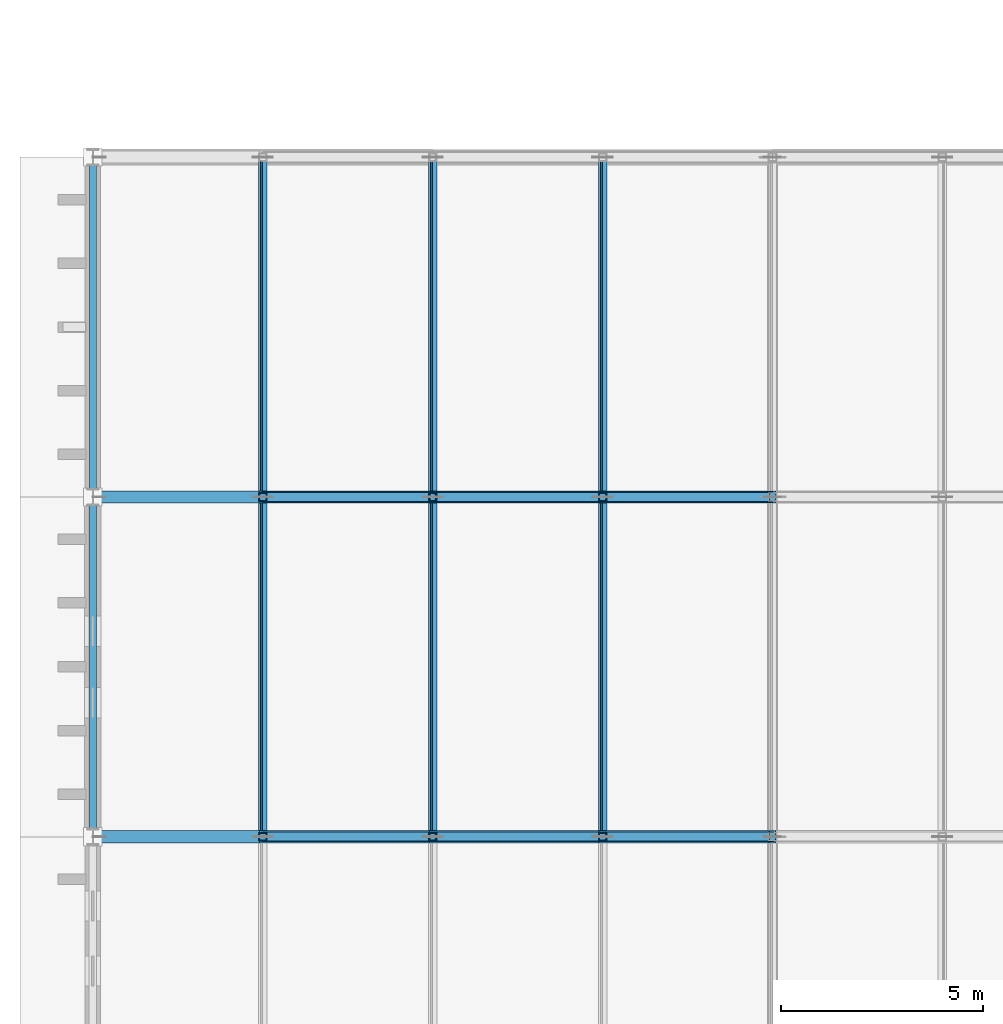
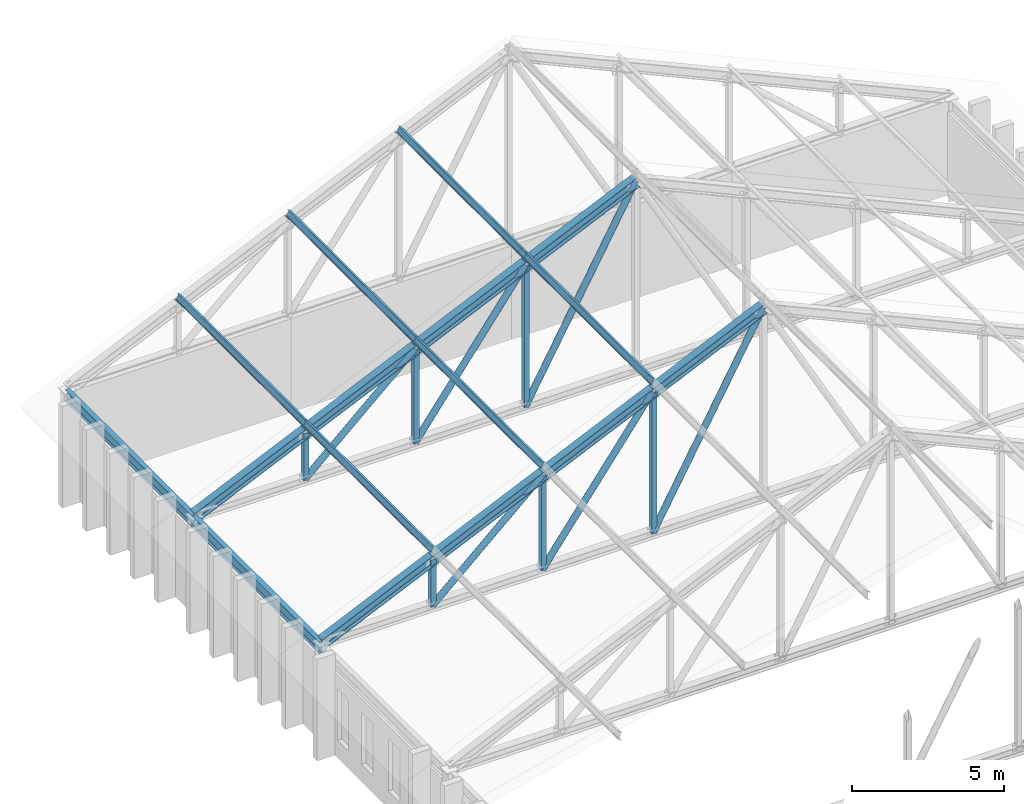
# One storey, part 22 of 110: 26 members, 2 beams.
"""IFC4 building model written with IfcOpenShell, lengths in metres."""

from ifc_helpers import new_model, si_unit, direction, frame, origin, origin_2d, place, context, subcontext, project, spatial, hollow_rectangle, hollow_circle, i_section, extrude, material, material_profile, profile_set, type_object, element, save


model = new_model("IFC4")

# Units and contexts
model_context = context("Model", 3, precision=1e-05, world=origin(), true_north=direction((0.0, 1.0)))
body_context = subcontext(model_context, "Body", "Model", "MODEL_VIEW")
ifc_project = project(units=[si_unit("LENGTHUNIT", "METRE"), si_unit("AREAUNIT", "SQUARE_METRE"), si_unit("VOLUMEUNIT", "CUBIC_METRE"), si_unit("PLANEANGLEUNIT", "RADIAN"), si_unit("MASSUNIT", "GRAM", prefix="KILO")], contexts=[model_context])

# Site, building, storey
site_placement = place(None, origin())
site = spatial("IfcSite", under=ifc_project, at=site_placement, CompositionType="ELEMENT")
building_placement = place(site_placement, origin())
building = spatial("IfcBuilding", under=site, at=building_placement, Name="Kveldsbrygga Polytechnic", CompositionType="ELEMENT")
storey_placement = place(building_placement, frame((0.0, 0.0, 9.860107421875)))
storey = spatial("IfcBuildingStorey", under=building, at=storey_placement, Name="L02", CompositionType="ELEMENT", Elevation=9.860107421875)

# Beams
ifc_material = material(Name="Steel S355", Category="steel")
ifc_material_profile_1 = material_profile(ifc_material, i_section(OverallWidth=0.18994140625, OverallDepth=0.449951171875, WebThickness=0.009521484375, FlangeThickness=0.0146484375, FilletRadius=0.02099609375, at=origin_2d()), Name="IPE 450")
ifc_profile_set_1 = profile_set([ifc_material_profile_1], Name="Steel S355")
beam_type = type_object("IfcBeamType", Name="BM-STL-IPE450", PredefinedType="BEAM", material=ifc_profile_set_1)
beam_1_placement = place(storey_placement, frame((0.0, 67.199951171875, 3.554931640625), z_axis=(0.0, 1.0, 0.0), x_axis=(-1.0, 0.0, 0.0)))
element("IfcBeam", 1, at=beam_1_placement, inside=storey, type_object=beam_type, Name="Workshop Eaves Beam BMY-V1EAV-W-08", PredefinedType="BEAM", context=body_context, shape_type="SweptSolid", body=[
    extrude(i_section(OverallWidth=0.18994140625, OverallDepth=0.449951171875, WebThickness=0.009521484375, FlangeThickness=0.0146484375, FilletRadius=0.02099609375, at=origin_2d()), origin(), (0.0, 0.0, 1.0), 8.400146484375),
])
beam_2_placement = place(storey_placement, frame((0.0, 75.60009765625, 3.554931640625), z_axis=(0.0, 1.0, 0.0), x_axis=(-1.0, 0.0, 0.0)))
element("IfcBeam", 2, at=beam_2_placement, inside=storey, type_object=beam_type, Name="Workshop Eaves Beam BMY-V1EAV-W-09", PredefinedType="BEAM", context=body_context, shape_type="SweptSolid", body=[
    extrude(i_section(OverallWidth=0.18994140625, OverallDepth=0.449951171875, WebThickness=0.009521484375, FlangeThickness=0.0146484375, FilletRadius=0.02099609375, at=origin_2d()), origin(), (0.0, 0.0, 1.0), 8.39990234375),
])

# Members
ifc_material_profile_2 = material_profile(ifc_material, i_section(OverallWidth=0.1201171875, OverallDepth=0.239990234375, WebThickness=0.006103515625, FlangeThickness=0.009765625, FilletRadius=0.014892578125, at=origin_2d()), Name="IPE 240")
ifc_profile_set_2 = profile_set([ifc_material_profile_2], Name="Steel S355")
member_type_1 = type_object("IfcMemberType", Name="PRL-IPE240", PredefinedType="PURLIN", material=ifc_profile_set_2)
for number, where, z_axis, x_axis, name in (
    (3, (4.199951171875, 67.199951171875, 6.031005859375), (0.0, 1.0, 0.0), (-0.911107850446, 0.0, 0.41216802988), "Roof Purlin V1W-PRL-6-1"),
    (4, (8.39990234375, 67.199951171875, 7.93115234375), (0.0, 1.0, 0.0), (-0.911107850446, 0.0, 0.41216802988), "Roof Purlin V1W-PRL-6-2"),
    (5, (12.60009765625, 67.199951171875, 9.8310546875), (0.0, 1.0, 0.0), (-0.911107850446, 0.0, 0.41216802988), "Roof Purlin V1W-PRL-6-3"),
):
    element("IfcMember", number, at=place(storey_placement, frame(where, z_axis=z_axis, x_axis=x_axis)), inside=storey, type_object=member_type_1, Name=name, PredefinedType="PURLIN", context=body_context, shape_type="SweptSolid", body=[
        extrude(i_section(OverallWidth=0.1201171875, OverallDepth=0.239990234375, WebThickness=0.006103515625, FlangeThickness=0.009765625, FilletRadius=0.014892578125, at=origin_2d()), origin(), (0.0, 0.0, 1.0), 8.400146484375),
    ])
for number, where, z_axis, x_axis, name in (
    (6, (4.199951171875, 75.60009765625, 6.031005859375), (0.0, 1.0, 0.0), (-0.911107850446, 0.0, 0.41216802988), "Roof Purlin V1W-PRL-7-1"),
    (7, (8.39990234375, 75.60009765625, 7.93115234375), (0.0, 1.0, 0.0), (-0.911107850446, 0.0, 0.41216802988), "Roof Purlin V1W-PRL-7-2"),
    (8, (12.60009765625, 75.60009765625, 9.8310546875), (0.0, 1.0, 0.0), (-0.911107850446, 0.0, 0.41216802988), "Roof Purlin V1W-PRL-7-3"),
):
    element("IfcMember", number, at=place(storey_placement, frame(where, z_axis=z_axis, x_axis=x_axis)), inside=storey, type_object=member_type_1, Name=name, PredefinedType="PURLIN", context=body_context, shape_type="SweptSolid", body=[
        extrude(i_section(OverallWidth=0.1201171875, OverallDepth=0.239990234375, WebThickness=0.006103515625, FlangeThickness=0.009765625, FilletRadius=0.014892578125, at=origin_2d()), origin(), (0.0, 0.0, 1.0), 8.39990234375),
    ])
ifc_material_profile_3 = material_profile(ifc_material, hollow_circle(Radius=0.122314453125, WallThickness=0.012451171875, at=origin_2d()), Name="CHS 244.5x12.5")
ifc_profile_set_3 = profile_set([ifc_material_profile_3], Name="Steel S355")
member_type_2 = type_object("IfcMemberType", Name="TR-DIAG-CHS245", PredefinedType="BRACE", material=ifc_profile_set_3)
member_1_placement = place(storey_placement, frame((4.199951171875, 67.199951171875, 3.77978515625), z_axis=(0.741527609628, 0.0, 0.670922353302), x_axis=(0.0, 1.0, 0.0)))
element("IfcMember", 9, at=member_1_placement, inside=storey, type_object=member_type_2, Name="Truss Diagonal V1W-T06-DG-2", PredefinedType="BRACE", context=body_context, shape_type="SweptSolid", body=[
    extrude(hollow_circle(Radius=0.122314453125, WallThickness=0.012451171875, at=origin_2d()), origin(), (0.0, 0.0, 1.0), 5.663818359375),
])
member_2_placement = place(storey_placement, frame((8.39990234375, 67.199951171875, 3.77978515625), z_axis=(0.59320374275, 0.0, 0.805052370711), x_axis=(0.0, 1.0, 0.0)))
element("IfcMember", 10, at=member_2_placement, inside=storey, type_object=member_type_2, Name="Truss Diagonal V1W-T06-DG-3", PredefinedType="BRACE", context=body_context, shape_type="SweptSolid", body=[
    extrude(hollow_circle(Radius=0.122314453125, WallThickness=0.012451171875, at=origin_2d()), origin(), (0.0, 0.0, 1.0), 7.08056640625),
])
member_3_placement = place(storey_placement, frame((12.60009765625, 67.199951171875, 3.77978515625), z_axis=(0.483677042996, 0.0, 0.875246547025), x_axis=(0.0, 1.0, 0.0)))
element("IfcMember", 11, at=member_3_placement, inside=storey, type_object=member_type_2, Name="Truss Diagonal V1W-T06-DG-4", PredefinedType="BRACE", context=body_context, shape_type="SweptSolid", body=[
    extrude(hollow_circle(Radius=0.122314453125, WallThickness=0.012451171875, at=origin_2d()), origin(), (0.0, 0.0, 1.0), 8.683349609375),
])
member_4_placement = place(storey_placement, frame((4.199951171875, 75.60009765625, 3.77978515625), z_axis=(0.741527609628, 0.0, 0.670922353302), x_axis=(0.0, 1.0, 0.0)))
element("IfcMember", 12, at=member_4_placement, inside=storey, type_object=member_type_2, Name="Truss Diagonal V1W-T07-DG-2", PredefinedType="BRACE", context=body_context, shape_type="SweptSolid", body=[
    extrude(hollow_circle(Radius=0.122314453125, WallThickness=0.012451171875, at=origin_2d()), origin(), (0.0, 0.0, 1.0), 5.663818359375),
])
member_5_placement = place(storey_placement, frame((8.39990234375, 75.60009765625, 3.77978515625), z_axis=(0.59320374275, 0.0, 0.805052370711), x_axis=(0.0, 1.0, 0.0)))
element("IfcMember", 13, at=member_5_placement, inside=storey, type_object=member_type_2, Name="Truss Diagonal V1W-T07-DG-3", PredefinedType="BRACE", context=body_context, shape_type="SweptSolid", body=[
    extrude(hollow_circle(Radius=0.122314453125, WallThickness=0.012451171875, at=origin_2d()), origin(), (0.0, 0.0, 1.0), 7.08056640625),
])
member_6_placement = place(storey_placement, frame((12.60009765625, 75.60009765625, 3.77978515625), z_axis=(0.483677042996, 0.0, 0.875246547025), x_axis=(0.0, 1.0, 0.0)))
element("IfcMember", 14, at=member_6_placement, inside=storey, type_object=member_type_2, Name="Truss Diagonal V1W-T07-DG-4", PredefinedType="BRACE", context=body_context, shape_type="SweptSolid", body=[
    extrude(hollow_circle(Radius=0.122314453125, WallThickness=0.012451171875, at=origin_2d()), origin(), (0.0, 0.0, 1.0), 8.683349609375),
])
ifc_material_profile_4 = material_profile(ifc_material, hollow_rectangle(XDim=0.199951171875, YDim=0.199951171875, WallThickness=0.012451171875, at=origin_2d()), Name="SHS 200x200x12.5")
ifc_profile_set_4 = profile_set([ifc_material_profile_4], Name="Steel S355")
member_type_3 = type_object("IfcMemberType", Name="TR-POST-SHS200", PredefinedType="STRUT", material=ifc_profile_set_4)
member_7_placement = place(storey_placement, frame((4.199951171875, 67.199951171875, 3.77978515625), z_axis=(0.0, 0.0, 1.0), x_axis=(1.0, 0.0, 0.0)))
element("IfcMember", 15, at=member_7_placement, inside=storey, type_object=member_type_3, Name="Truss Vertical V1W-T06-VT-1", PredefinedType="STRUT", context=body_context, shape_type="SweptSolid", body=[
    extrude(hollow_rectangle(XDim=0.199951171875, YDim=0.199951171875, WallThickness=0.012451171875, at=origin_2d()), origin(), (0.0, 0.0, 1.0), 1.900146484375),
])
member_8_placement = place(storey_placement, frame((8.39990234375, 67.199951171875, 3.77978515625), z_axis=(0.0, 0.0, 1.0), x_axis=(1.0, 0.0, 0.0)))
element("IfcMember", 16, at=member_8_placement, inside=storey, type_object=member_type_3, Name="Truss Vertical V1W-T06-VT-2", PredefinedType="STRUT", context=body_context, shape_type="SweptSolid", body=[
    extrude(hollow_rectangle(XDim=0.199951171875, YDim=0.199951171875, WallThickness=0.012451171875, at=origin_2d()), origin(), (0.0, 0.0, 1.0), 3.800048828125),
])
member_9_placement = place(storey_placement, frame((12.60009765625, 67.199951171875, 3.77978515625), z_axis=(0.0, 0.0, 1.0), x_axis=(1.0, 0.0, 0.0)))
element("IfcMember", 17, at=member_9_placement, inside=storey, type_object=member_type_3, Name="Truss Vertical V1W-T06-VT-3", PredefinedType="STRUT", context=body_context, shape_type="SweptSolid", body=[
    extrude(hollow_rectangle(XDim=0.199951171875, YDim=0.199951171875, WallThickness=0.012451171875, at=origin_2d()), origin(), (0.0, 0.0, 1.0), 5.7001953125),
])
member_10_placement = place(storey_placement, frame((4.199951171875, 75.60009765625, 3.77978515625), z_axis=(0.0, 0.0, 1.0), x_axis=(1.0, 0.0, 0.0)))
element("IfcMember", 18, at=member_10_placement, inside=storey, type_object=member_type_3, Name="Truss Vertical V1W-T07-VT-1", PredefinedType="STRUT", context=body_context, shape_type="SweptSolid", body=[
    extrude(hollow_rectangle(XDim=0.199951171875, YDim=0.199951171875, WallThickness=0.012451171875, at=origin_2d()), origin(), (0.0, 0.0, 1.0), 1.900146484375),
])
member_11_placement = place(storey_placement, frame((8.39990234375, 75.60009765625, 3.77978515625), z_axis=(0.0, 0.0, 1.0), x_axis=(1.0, 0.0, 0.0)))
element("IfcMember", 19, at=member_11_placement, inside=storey, type_object=member_type_3, Name="Truss Vertical V1W-T07-VT-2", PredefinedType="STRUT", context=body_context, shape_type="SweptSolid", body=[
    extrude(hollow_rectangle(XDim=0.199951171875, YDim=0.199951171875, WallThickness=0.012451171875, at=origin_2d()), origin(), (0.0, 0.0, 1.0), 3.800048828125),
])
member_12_placement = place(storey_placement, frame((12.60009765625, 75.60009765625, 3.77978515625), z_axis=(0.0, 0.0, 1.0), x_axis=(1.0, 0.0, 0.0)))
element("IfcMember", 20, at=member_12_placement, inside=storey, type_object=member_type_3, Name="Truss Vertical V1W-T07-VT-3", PredefinedType="STRUT", context=body_context, shape_type="SweptSolid", body=[
    extrude(hollow_rectangle(XDim=0.199951171875, YDim=0.199951171875, WallThickness=0.012451171875, at=origin_2d()), origin(), (0.0, 0.0, 1.0), 5.7001953125),
])
ifc_material_profile_5 = material_profile(ifc_material, i_section(OverallWidth=0.300048828125, OverallDepth=0.39990234375, WebThickness=0.013427734375, FlangeThickness=0.02392578125, FilletRadius=0.027099609375, at=origin_2d()), Name="HEB 400")
ifc_profile_set_5 = profile_set([ifc_material_profile_5], Name="Steel S355")
member_type_4 = type_object("IfcMemberType", Name="TR-TOP-HEB400", PredefinedType="CHORD", material=ifc_profile_set_5)
member_13_placement = place(storey_placement, frame((0.0, 67.199951171875, 3.77978515625), z_axis=(0.911094189765, 0.0, 0.412198225829), x_axis=(0.0, 1.0, 0.0)))
element("IfcMember", 21, at=member_13_placement, inside=storey, type_object=member_type_4, Name="Truss Top Chord V1W-T06-TC-1", PredefinedType="CHORD", context=body_context, shape_type="SweptSolid", body=[
    extrude(i_section(OverallWidth=0.300048828125, OverallDepth=0.39990234375, WebThickness=0.013427734375, FlangeThickness=0.02392578125, FilletRadius=0.027099609375, at=origin_2d()), origin(), (0.0, 0.0, 1.0), 4.60986328125),
])
member_14_placement = place(storey_placement, frame((4.199951171875, 67.199951171875, 5.679931640625), z_axis=(0.91111407885, 0.0, 0.41215426156), x_axis=(0.0, 1.0, 0.0)))
element("IfcMember", 22, at=member_14_placement, inside=storey, type_object=member_type_4, Name="Truss Top Chord V1W-T06-TC-2", PredefinedType="CHORD", context=body_context, shape_type="SweptSolid", body=[
    extrude(i_section(OverallWidth=0.300048828125, OverallDepth=0.39990234375, WebThickness=0.013427734375, FlangeThickness=0.02392578125, FilletRadius=0.027099609375, at=origin_2d()), origin(), (0.0, 0.0, 1.0), 4.609619140625),
])
member_15_placement = place(storey_placement, frame((8.39990234375, 67.199951171875, 7.579833984375), z_axis=(0.911103187639, 0.0, 0.412178336979), x_axis=(0.0, 1.0, 0.0)))
element("IfcMember", 23, at=member_15_placement, inside=storey, type_object=member_type_4, Name="Truss Top Chord V1W-T06-TC-3", PredefinedType="CHORD", context=body_context, shape_type="SweptSolid", body=[
    extrude(i_section(OverallWidth=0.300048828125, OverallDepth=0.39990234375, WebThickness=0.013427734375, FlangeThickness=0.02392578125, FilletRadius=0.027099609375, at=origin_2d()), origin(), (0.0, 0.0, 1.0), 4.610107421875),
])
member_16_placement = place(storey_placement, frame((12.60009765625, 67.199951171875, 9.47998046875), z_axis=(0.91111407885, 0.0, 0.41215426156), x_axis=(0.0, 1.0, 0.0)))
element("IfcMember", 24, at=member_16_placement, inside=storey, type_object=member_type_4, Name="Truss Top Chord V1W-T06-TC-4", PredefinedType="CHORD", context=body_context, shape_type="SweptSolid", body=[
    extrude(i_section(OverallWidth=0.300048828125, OverallDepth=0.39990234375, WebThickness=0.013427734375, FlangeThickness=0.02392578125, FilletRadius=0.027099609375, at=origin_2d()), origin(), (0.0, 0.0, 1.0), 4.609619140625),
])
member_17_placement = place(storey_placement, frame((0.0, 75.60009765625, 3.77978515625), z_axis=(0.911094189765, 0.0, 0.412198225829), x_axis=(0.0, 1.0, 0.0)))
element("IfcMember", 25, at=member_17_placement, inside=storey, type_object=member_type_4, Name="Truss Top Chord V1W-T07-TC-1", PredefinedType="CHORD", context=body_context, shape_type="SweptSolid", body=[
    extrude(i_section(OverallWidth=0.300048828125, OverallDepth=0.39990234375, WebThickness=0.013427734375, FlangeThickness=0.02392578125, FilletRadius=0.027099609375, at=origin_2d()), origin(), (0.0, 0.0, 1.0), 4.60986328125),
])
member_18_placement = place(storey_placement, frame((4.199951171875, 75.60009765625, 5.679931640625), z_axis=(0.91111407885, 0.0, 0.41215426156), x_axis=(0.0, 1.0, 0.0)))
element("IfcMember", 26, at=member_18_placement, inside=storey, type_object=member_type_4, Name="Truss Top Chord V1W-T07-TC-2", PredefinedType="CHORD", context=body_context, shape_type="SweptSolid", body=[
    extrude(i_section(OverallWidth=0.300048828125, OverallDepth=0.39990234375, WebThickness=0.013427734375, FlangeThickness=0.02392578125, FilletRadius=0.027099609375, at=origin_2d()), origin(), (0.0, 0.0, 1.0), 4.609619140625),
])
member_19_placement = place(storey_placement, frame((8.39990234375, 75.60009765625, 7.579833984375), z_axis=(0.911103187639, 0.0, 0.412178336979), x_axis=(0.0, 1.0, 0.0)))
element("IfcMember", 27, at=member_19_placement, inside=storey, type_object=member_type_4, Name="Truss Top Chord V1W-T07-TC-3", PredefinedType="CHORD", context=body_context, shape_type="SweptSolid", body=[
    extrude(i_section(OverallWidth=0.300048828125, OverallDepth=0.39990234375, WebThickness=0.013427734375, FlangeThickness=0.02392578125, FilletRadius=0.027099609375, at=origin_2d()), origin(), (0.0, 0.0, 1.0), 4.610107421875),
])
member_20_placement = place(storey_placement, frame((12.60009765625, 75.60009765625, 9.47998046875), z_axis=(0.91111407885, 0.0, 0.41215426156), x_axis=(0.0, 1.0, 0.0)))
element("IfcMember", 28, at=member_20_placement, inside=storey, type_object=member_type_4, Name="Truss Top Chord V1W-T07-TC-4", PredefinedType="CHORD", context=body_context, shape_type="SweptSolid", body=[
    extrude(i_section(OverallWidth=0.300048828125, OverallDepth=0.39990234375, WebThickness=0.013427734375, FlangeThickness=0.02392578125, FilletRadius=0.027099609375, at=origin_2d()), origin(), (0.0, 0.0, 1.0), 4.609619140625),
])

save(model, "model.ifc")
